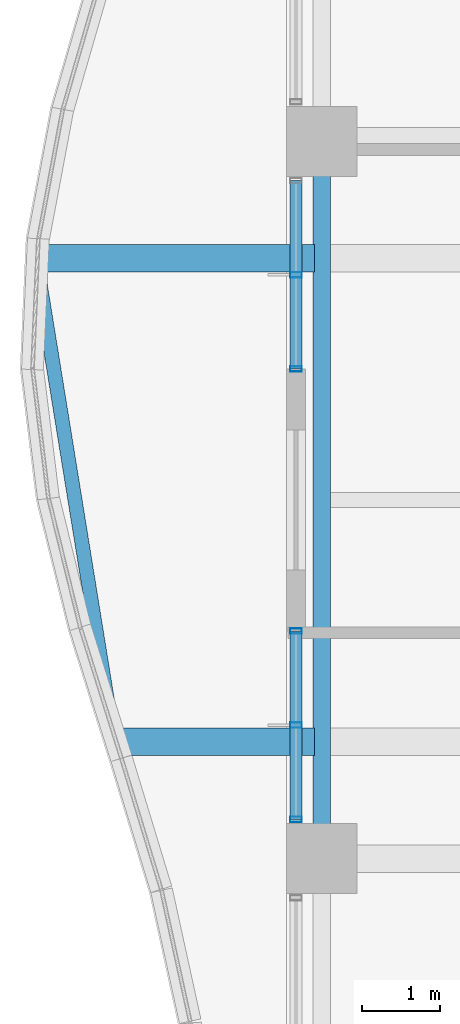
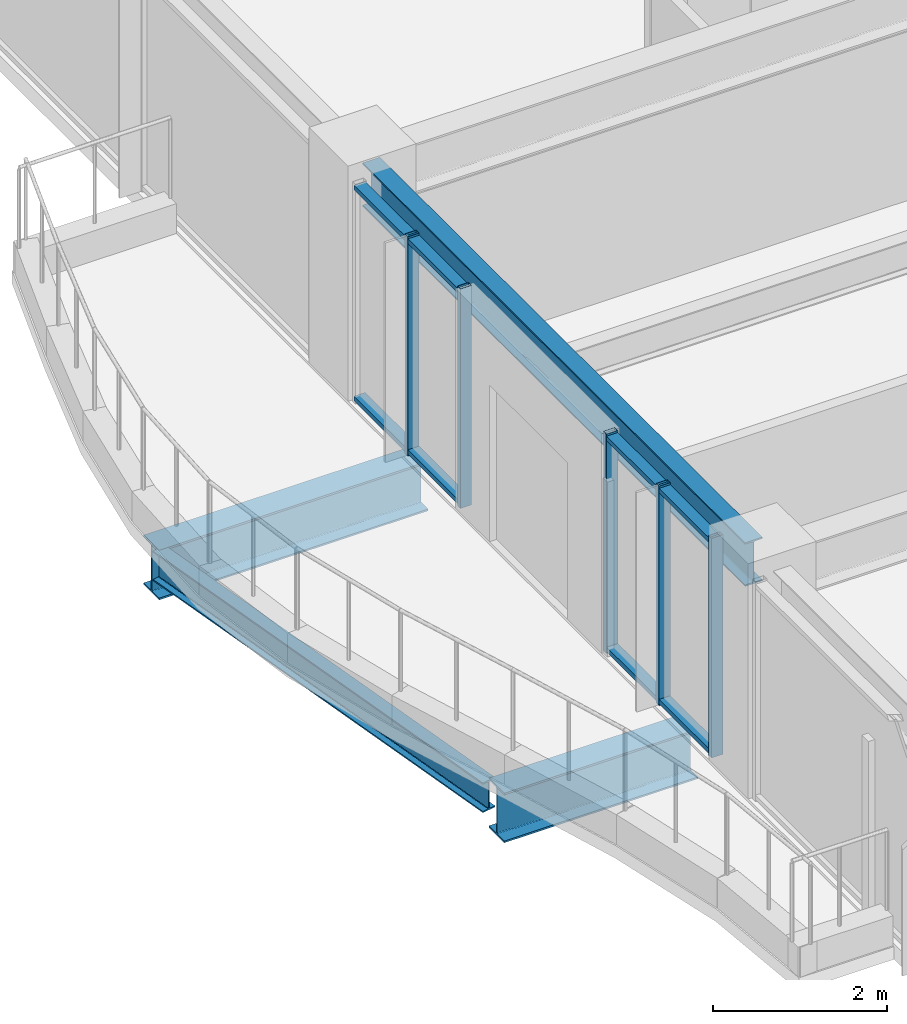
# One storey, part 6 of 34: 9 members, 4 beams, 2 elements without a shape of their own.
"""IFC4 building model written with IfcOpenShell, lengths in metres."""

from ifc_helpers import new_model, si_unit, direction, frame, origin, origin_2d, place, context, subcontext, project, spatial, hollow_rectangle, i_section, extrude, material, material_profile, profile_set, type_object, element, aggregate, save


model = new_model("IFC4")

# Units and contexts
model_context = context("Model", 3, precision=1e-05, world=origin(), true_north=direction((0.0, 1.0)))
body_context = subcontext(model_context, "Body", "Model", "MODEL_VIEW")
ifc_project = project(units=[si_unit("LENGTHUNIT", "METRE"), si_unit("AREAUNIT", "SQUARE_METRE"), si_unit("VOLUMEUNIT", "CUBIC_METRE"), si_unit("PLANEANGLEUNIT", "RADIAN"), si_unit("MASSUNIT", "GRAM", prefix="KILO")], contexts=[model_context])

# Site, building, storey
site_placement = place(None, origin())
site = spatial("IfcSite", under=ifc_project, at=site_placement, CompositionType="ELEMENT")
building_placement = place(site_placement, origin())
building = spatial("IfcBuilding", under=site, at=building_placement, Name="Kolvaren Belvedere", CompositionType="ELEMENT")
storey_placement = place(building_placement, frame((0.0, 0.0, 189.89990234375)))
storey = spatial("IfcBuildingStorey", under=building, at=storey_placement, Name="L55", CompositionType="ELEMENT", Elevation=189.89990234375)

# Beams
ifc_material_1 = material(Name="Structural steel ASTM A992 Grade 50", Category="steel")
ifc_material_profile_1 = material_profile(ifc_material_1, i_section(OverallWidth=0.35498046875, OverallDepth=0.696044921875, WebThickness=0.015380859375, FlangeThickness=0.02490234375, FilletRadius=0.02197265625, at=origin_2d()), Name="W27X146")
ifc_profile_set_1 = profile_set([ifc_material_profile_1], Name="Structural steel ASTM A992 Grade 50")
beam_type_1 = type_object("IfcBeamType", Name="BM-CANT-BAL", PredefinedType="BEAM", material=ifc_profile_set_1)
beam_1_placement = place(storey_placement, frame((-20.044921875, -3.10009765625, -0.56787109375), z_axis=(-1.0, 0.0, 0.0), x_axis=(0.0, -1.0, 0.0)))
element("IfcBeam", 1, at=beam_1_placement, inside=storey, type_object=beam_type_1, Name="L55 Planted Balcony Cantilever BAL-W-1", PredefinedType="BEAM", context=body_context, shape_type="SweptSolid", body=[
    extrude(i_section(OverallWidth=0.35498046875, OverallDepth=0.696044921875, WebThickness=0.015380859375, FlangeThickness=0.02490234375, FilletRadius=0.02197265625, at=origin_2d()), origin(), (0.0, 0.0, 1.0), 2.56884765625),
])
beam_2_placement = place(storey_placement, frame((-20.044921875, 3.10009765625, -0.56787109375), z_axis=(-1.0, 0.0, 0.0), x_axis=(0.0, -1.0, 0.0)))
element("IfcBeam", 2, at=beam_2_placement, inside=storey, type_object=beam_type_1, Name="L55 Planted Balcony Cantilever BAL-W-2", PredefinedType="BEAM", context=body_context, shape_type="SweptSolid", body=[
    extrude(i_section(OverallWidth=0.35498046875, OverallDepth=0.696044921875, WebThickness=0.015380859375, FlangeThickness=0.02490234375, FilletRadius=0.02197265625, at=origin_2d()), origin(), (0.0, 0.0, 1.0), 3.571044921875),
])
ifc_material_2 = material(Name="Structural steel ASTM A992 Grade 50", Category="steel")
ifc_material_profile_2 = material_profile(ifc_material_2, i_section(OverallWidth=0.180908203125, OverallDepth=0.4169921875, WebThickness=0.010986328125, FlangeThickness=0.018310546875, FilletRadius=0.013916015625, at=origin_2d()), Name="W16X57")
ifc_profile_set_2 = profile_set([ifc_material_profile_2], Name="Structural steel ASTM A992 Grade 50")
beam_type_2 = type_object("IfcBeamType", Name="BM-EDGE-W16X57", PredefinedType="BEAM", material=ifc_profile_set_2)
beam_3_placement = place(storey_placement, frame((-22.635986328125, -2.9619140625, -0.428466796875), z_axis=(-0.159567567211, 0.987187009383, 0.0), x_axis=(-0.987187009383, -0.159567567211, 0.0)))
element("IfcBeam", 3, at=beam_3_placement, inside=storey, type_object=beam_type_2, Name="L55 Balcony Tip Header Beam BAL-W", PredefinedType="BEAM", context=body_context, shape_type="SweptSolid", body=[
    extrude(i_section(OverallWidth=0.180908203125, OverallDepth=0.4169921875, WebThickness=0.010986328125, FlangeThickness=0.018310546875, FilletRadius=0.013916015625, at=origin_2d()), origin(), (0.0, 0.0, 1.0), 6.000732421875),
])
ifc_material_3 = material(Name="Structural steel ASTM A992 Grade 50", Category="steel")
ifc_material_profile_3 = material_profile(ifc_material_3, i_section(OverallWidth=0.22900390625, OverallDepth=0.612060546875, WebThickness=0.011962890625, FlangeThickness=0.01953125, FilletRadius=0.01806640625, at=origin_2d()), Name="W24X84")
ifc_profile_set_3 = profile_set([ifc_material_profile_3], Name="Structural steel ASTM A992 Grade 50")
beam_type_3 = type_object("IfcBeamType", Name="BM-SPAN-W24X84", PredefinedType="SPANDREL", material=ifc_profile_set_3)
beam_4_placement = place(storey_placement, frame((-19.949951171875, 4.3974609375, 2.774169921875), z_axis=(0.0, -1.0, 0.0), x_axis=(1.0, 0.0, 0.0)))
element("IfcBeam", 4, at=beam_4_placement, inside=storey, type_object=beam_type_3, Name="L55 Perimeter Spandrel W3-W2", PredefinedType="SPANDREL", context=body_context, shape_type="SweptSolid", body=[
    extrude(i_section(OverallWidth=0.22900390625, OverallDepth=0.612060546875, WebThickness=0.011962890625, FlangeThickness=0.01953125, FilletRadius=0.01806640625, at=origin_2d()), origin(), (0.0, 0.0, 1.0), 8.794921875),
])

# Curtain wall, members
ifc_material_4 = material(Name="Anodised pale-metal aluminium AA 6063-T6", Category="aluminium")
curtain_wall_type = type_object("IfcCurtainWallType", Name="CW-Z5-HIGH", PredefinedType="NOTDEFINED", material=ifc_material_4)
curtain_wall_1_placement = place(storey_placement, origin())
curtain_wall_1 = element("IfcCurtainWall", 5, at=curtain_wall_1_placement, inside=storey, type_object=curtain_wall_type, Name="L55 Unitised Curtain Wall FCW-L55-W1-B2", PredefinedType="NOTDEFINED")
ifc_material_5 = material(Name="Anodised pale-metal aluminium AA 6063-T6", Category="aluminium")
ifc_material_profile_4 = material_profile(ifc_material_5, hollow_rectangle(XDim=0.070068359375, YDim=0.14990234375, WallThickness=0.004150390625, at=origin_2d()), Name="ALU-MUL-150X70")
ifc_profile_set_4 = profile_set([ifc_material_profile_4], Name="Anodised pale-metal aluminium AA 6063-T6")
member_type_1 = type_object("IfcMemberType", Name="CW-MUL-150", PredefinedType="MULLION", material=ifc_profile_set_4)
member_1_placement = place(storey_placement, frame((-20.280029296875, -4.094970703125, 0.0), z_axis=(0.0, 0.0, 1.0), x_axis=(0.0, 1.0, 0.0)))
member_1 = element("IfcMember", 6, at=member_1_placement, type_object=member_type_1, Name="FCW-L55-W1-B2 Unitised Mullion 1", PredefinedType="MULLION", context=body_context, shape_type="SweptSolid", body=[
    extrude(hollow_rectangle(XDim=0.070068359375, YDim=0.14990234375, WallThickness=0.004150390625, at=origin_2d()), origin(), (0.0, 0.0, 1.0), 3.080078125),
])
member_2_placement = place(storey_placement, frame((-20.280029296875, -2.887451171875, 0.0), z_axis=(0.0, 0.0, 1.0), x_axis=(0.0, 1.0, 0.0)))
member_2 = element("IfcMember", 7, at=member_2_placement, type_object=member_type_1, Name="FCW-L55-W1-B2 Unitised Mullion 2", PredefinedType="MULLION", context=body_context, shape_type="SweptSolid", body=[
    extrude(hollow_rectangle(XDim=0.070068359375, YDim=0.14990234375, WallThickness=0.004150390625, at=origin_2d()), origin(), (0.0, 0.0, 1.0), 3.080078125),
])
member_3_placement = place(storey_placement, frame((-20.280029296875, -1.679931640625, 0.0), z_axis=(0.0, 0.0, 1.0), x_axis=(0.0, 1.0, 0.0)))
member_3 = element("IfcMember", 8, at=member_3_placement, type_object=member_type_1, Name="FCW-L55-W1-B2 Unitised Mullion 3", PredefinedType="MULLION", context=body_context, shape_type="SweptSolid", body=[
    extrude(hollow_rectangle(XDim=0.070068359375, YDim=0.14990234375, WallThickness=0.004150390625, at=origin_2d()), origin(), (0.0, 0.0, 1.0), 3.080078125),
])

curtain_wall_2_placement = place(storey_placement, origin())
curtain_wall_2 = element("IfcCurtainWall", 9, at=curtain_wall_2_placement, inside=storey, type_object=curtain_wall_type, Name="L55 Unitised Curtain Wall FCW-L55-W2-B1", PredefinedType="NOTDEFINED")
member_4_placement = place(storey_placement, frame((-20.280029296875, 1.679931640625, 0.0), z_axis=(0.0, 0.0, 1.0), x_axis=(0.0, 1.0, 0.0)))
member_4 = element("IfcMember", 10, at=member_4_placement, type_object=member_type_1, Name="FCW-L55-W2-B1 Unitised Mullion 1", PredefinedType="MULLION", context=body_context, shape_type="SweptSolid", body=[
    extrude(hollow_rectangle(XDim=0.070068359375, YDim=0.14990234375, WallThickness=0.004150390625, at=origin_2d()), origin(), (0.0, 0.0, 1.0), 3.080078125),
])
member_5_placement = place(storey_placement, frame((-20.280029296875, 2.887451171875, 0.0), z_axis=(0.0, 0.0, 1.0), x_axis=(0.0, 1.0, 0.0)))
member_5 = element("IfcMember", 11, at=member_5_placement, type_object=member_type_1, Name="FCW-L55-W2-B1 Unitised Mullion 2", PredefinedType="MULLION", context=body_context, shape_type="SweptSolid", body=[
    extrude(hollow_rectangle(XDim=0.070068359375, YDim=0.14990234375, WallThickness=0.004150390625, at=origin_2d()), origin(), (0.0, 0.0, 1.0), 3.080078125),
])

# Member
ifc_material_6 = material(Name="Anodised pale-metal aluminium AA 6063-T6", Category="aluminium")
ifc_material_profile_5 = material_profile(ifc_material_6, hollow_rectangle(XDim=0.06494140625, YDim=0.14990234375, WallThickness=0.00390625, at=origin_2d()), Name="ALU-TRN-150X65")
ifc_profile_set_5 = profile_set([ifc_material_profile_5], Name="Anodised pale-metal aluminium AA 6063-T6")
member_type_2 = type_object("IfcMemberType", Name="CW-TRN-150", PredefinedType="USERDEFINED", material=ifc_profile_set_5)
member_6_placement = place(storey_placement, frame((-20.280029296875, -4.094970703125, 0.06005859375), z_axis=(0.0, 1.0, 0.0), x_axis=(0.0, 0.0, 1.0)))
member_6 = element("IfcMember", 12, at=member_6_placement, type_object=member_type_2, Name="FCW-L55-W1-B2 Sill Transom", ObjectType="TRANSOM", PredefinedType="USERDEFINED", context=body_context, shape_type="SweptSolid", body=[
    extrude(hollow_rectangle(XDim=0.06494140625, YDim=0.14990234375, WallThickness=0.00390625, at=origin_2d()), origin(), (0.0, 0.0, 1.0), 2.4150390625),
])

member_7_placement = place(storey_placement, frame((-20.280029296875, -4.094970703125, 3.02001953125), z_axis=(0.0, 1.0, 0.0), x_axis=(0.0, 0.0, 1.0)))
member_7 = element("IfcMember", 13, at=member_7_placement, type_object=member_type_2, Name="FCW-L55-W1-B2 Head Transom", ObjectType="TRANSOM", PredefinedType="USERDEFINED", context=body_context, shape_type="SweptSolid", body=[
    extrude(hollow_rectangle(XDim=0.06494140625, YDim=0.14990234375, WallThickness=0.00390625, at=origin_2d()), origin(), (0.0, 0.0, 1.0), 2.4150390625),
])

aggregate(curtain_wall_1, [member_1, member_2, member_3, member_6, member_7])

member_8_placement = place(storey_placement, frame((-20.280029296875, 1.679931640625, 0.06005859375), z_axis=(0.0, 1.0, 0.0), x_axis=(0.0, 0.0, 1.0)))
member_8 = element("IfcMember", 14, at=member_8_placement, type_object=member_type_2, Name="FCW-L55-W2-B1 Sill Transom", ObjectType="TRANSOM", PredefinedType="USERDEFINED", context=body_context, shape_type="SweptSolid", body=[
    extrude(hollow_rectangle(XDim=0.06494140625, YDim=0.14990234375, WallThickness=0.00390625, at=origin_2d()), origin(), (0.0, 0.0, 1.0), 2.4150390625),
])

member_9_placement = place(storey_placement, frame((-20.280029296875, 1.679931640625, 3.02001953125), z_axis=(0.0, 1.0, 0.0), x_axis=(0.0, 0.0, 1.0)))
member_9 = element("IfcMember", 15, at=member_9_placement, type_object=member_type_2, Name="FCW-L55-W2-B1 Head Transom", ObjectType="TRANSOM", PredefinedType="USERDEFINED", context=body_context, shape_type="SweptSolid", body=[
    extrude(hollow_rectangle(XDim=0.06494140625, YDim=0.14990234375, WallThickness=0.00390625, at=origin_2d()), origin(), (0.0, 0.0, 1.0), 2.4150390625),
])

aggregate(curtain_wall_2, [member_4, member_5, member_8, member_9])

save(model, "model.ifc")
